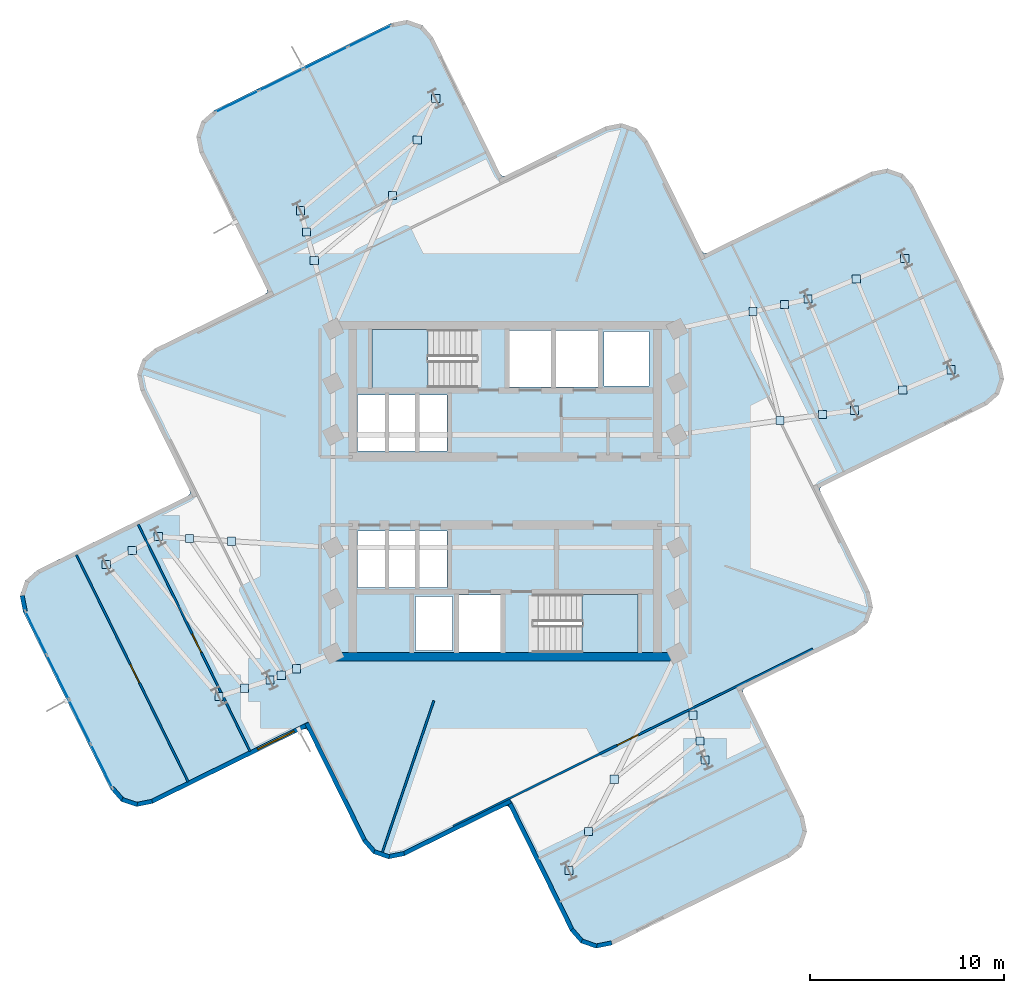
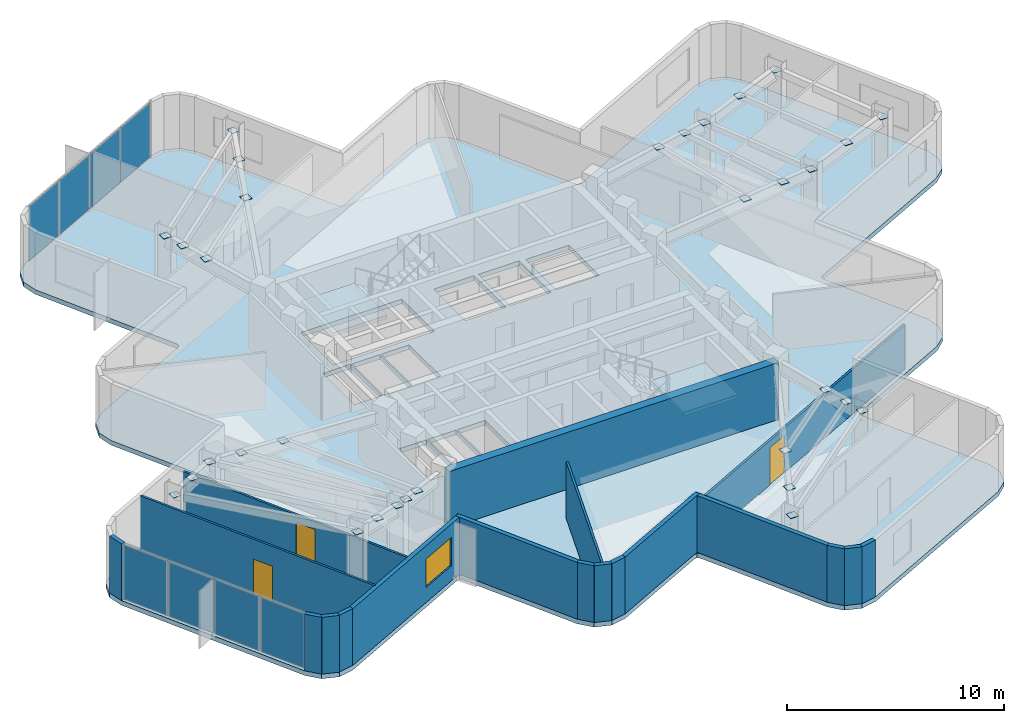
# One storey, part 5 of 11: 40 plates, 19 walls, 3 doors, 3 slabs, 1 window, 4 openings, 4 elements without a shape of their own.
"""IFC4 building model written with IfcOpenShell, lengths in metres."""

from ifc_helpers import new_model, si_unit, direction, frame, frame_2d, origin, origin_2d, place, context, subcontext, project, spatial, polyline, rectangle, outline, extrude, material, layer, layer_set, type_object, element, fill, aggregate, save


model = new_model("IFC4")

# Units and contexts
model_context = context("Model", 3, precision=1e-05, world=origin(), true_north=direction((0.0, 1.0)))
body_context = subcontext(model_context, "Body", "Model", "MODEL_VIEW")
ifc_project = project(units=[si_unit("LENGTHUNIT", "METRE"), si_unit("AREAUNIT", "SQUARE_METRE"), si_unit("VOLUMEUNIT", "CUBIC_METRE"), si_unit("PLANEANGLEUNIT", "RADIAN"), si_unit("MASSUNIT", "GRAM", prefix="KILO")], contexts=[model_context])

# Site, building, storey
site_placement = place(None, origin())
site = spatial("IfcSite", under=ifc_project, at=site_placement, CompositionType="ELEMENT")
building_placement = place(site_placement, origin())
building = spatial("IfcBuilding", under=site, at=building_placement, Name="Solmarez Civic Tower", CompositionType="ELEMENT")
storey_placement = place(building_placement, frame((0.0, 0.0, 192.60009765625)))
storey = spatial("IfcBuildingStorey", under=building, at=storey_placement, Name="L51", CompositionType="ELEMENT", Elevation=192.60009765625)

# Curtain wall, plates
ifc_material_1 = material(Name="Bronze Anodised Aluminium EN AW-6063 T6", Category="aluminium")
ifc_layer_1 = layer(ifc_material_1, 0.2099609375)
ifc_layer_set_1 = layer_set([ifc_layer_1], Name="Bronze Anodised Aluminium EN AW-6063 T6")
curtain_wall_type = type_object("IfcCurtainWallType", Name="CW-SYS-5", PredefinedType="NOTDEFINED", material=ifc_layer_set_1)
curtain_wall_1_placement = place(storey_placement, origin())
curtain_wall_1 = element("IfcCurtainWall", 1, at=curtain_wall_1_placement, inside=storey, type_object=curtain_wall_type, Name="L51 Stick-Built Curtain Wall 1", PredefinedType="NOTDEFINED")
ifc_material_2 = material(Name="Solar Control Low-E Laminated Vision Glass", Category="glass")
ifc_layer_2 = layer(ifc_material_2, 0.028076171875)
ifc_layer_set_2 = layer_set([ifc_layer_2], Name="Solar Control Low-E Laminated Vision Glass")
plate_type_1 = type_object("IfcPlateType", Name="CWP-GLAZ-28", PredefinedType="CURTAIN_PANEL", material=ifc_layer_set_2)
plate_1_placement = place(storey_placement, frame((-20.771240234375, -14.15625, 0.06494140625), z_axis=(0.0, 0.0, 1.0), x_axis=(-0.442157712652, 0.896937320632, 0.0)))
plate_1 = element("IfcPlate", 2, at=plate_1_placement, type_object=plate_type_1, Name="CWS5 panel 1.1", PredefinedType="CURTAIN_PANEL", context=body_context, shape_type="SweptSolid", body=[
    extrude(rectangle(XDim=2.442626953125, YDim=0.028076171875, at=origin_2d()), origin(), (0.0, 0.0, 1.0), 3.070068359375),
])
plate_2_placement = place(storey_placement, frame((-21.892578125, -11.88134765625, 0.06494140625), z_axis=(0.0, 0.0, 1.0), x_axis=(-0.442157712652, 0.896937320632, 0.0)))
plate_2 = element("IfcPlate", 3, at=plate_2_placement, type_object=plate_type_1, Name="CWS5 panel 2.1", PredefinedType="CURTAIN_PANEL", context=body_context, shape_type="SweptSolid", body=[
    extrude(rectangle(XDim=2.47998046875, YDim=0.028076171875, at=origin_2d()), origin(), (0.0, 0.0, 1.0), 3.070068359375),
])
plate_3_placement = place(storey_placement, frame((-23.0224609375, -9.589599609375, 0.06494140625), z_axis=(0.0, 0.0, 1.0), x_axis=(-0.442157712652, 0.896937320632, 0.0)))
plate_3 = element("IfcPlate", 4, at=plate_3_placement, type_object=plate_type_1, Name="CWS5 panel 3.1", PredefinedType="CURTAIN_PANEL", context=body_context, shape_type="SweptSolid", body=[
    extrude(rectangle(XDim=2.47998046875, YDim=0.028076171875, at=origin_2d()), origin(), (0.0, 0.0, 1.0), 3.070068359375),
])
plate_4_placement = place(storey_placement, frame((-24.143798828125, -7.314697265625, 0.06494140625), z_axis=(0.0, 0.0, 1.0), x_axis=(-0.442157712652, 0.896937320632, 0.0)))
plate_4 = element("IfcPlate", 5, at=plate_4_placement, type_object=plate_type_1, Name="CWS5 panel 4.1", PredefinedType="CURTAIN_PANEL", context=body_context, shape_type="SweptSolid", body=[
    extrude(rectangle(XDim=2.442626953125, YDim=0.028076171875, at=origin_2d()), origin(), (0.0, 0.0, 1.0), 3.070068359375),
])
aggregate(curtain_wall_1, [plate_1, plate_2, plate_3, plate_4])

curtain_wall_2_placement = place(storey_placement, origin())
curtain_wall_2 = element("IfcCurtainWall", 6, at=curtain_wall_2_placement, inside=storey, type_object=curtain_wall_type, Name="L51 Stick-Built Curtain Wall 2", PredefinedType="NOTDEFINED")
plate_5_placement = place(storey_placement, frame((-13.80224609375, 20.05419921875, 0.06494140625), z_axis=(0.0, 0.0, 1.0), x_axis=(0.896937320632, 0.442157712652, 0.0)))
plate_5 = element("IfcPlate", 7, at=plate_5_placement, type_object=plate_type_1, Name="CWS5 panel 1.1", PredefinedType="CURTAIN_PANEL", context=body_context, shape_type="SweptSolid", body=[
    extrude(rectangle(XDim=2.442626953125, YDim=0.028076171875, at=origin_2d()), origin(), (0.0, 0.0, 1.0), 3.070068359375),
])
plate_6_placement = place(storey_placement, frame((-11.52734375, 21.175537109375, 0.06494140625), z_axis=(0.0, 0.0, 1.0), x_axis=(0.896937320632, 0.442157712652, 0.0)))
plate_6 = element("IfcPlate", 8, at=plate_6_placement, type_object=plate_type_1, Name="CWS5 panel 2.1", PredefinedType="CURTAIN_PANEL", context=body_context, shape_type="SweptSolid", body=[
    extrude(rectangle(XDim=2.47998046875, YDim=0.028076171875, at=origin_2d()), origin(), (0.0, 0.0, 1.0), 3.070068359375),
])
plate_7_placement = place(storey_placement, frame((-9.235595703125, 22.305419921875, 0.06494140625), z_axis=(0.0, 0.0, 1.0), x_axis=(0.896937320632, 0.442157712652, 0.0)))
plate_7 = element("IfcPlate", 9, at=plate_7_placement, type_object=plate_type_1, Name="CWS5 panel 3.1", PredefinedType="CURTAIN_PANEL", context=body_context, shape_type="SweptSolid", body=[
    extrude(rectangle(XDim=2.47998046875, YDim=0.028076171875, at=origin_2d()), origin(), (0.0, 0.0, 1.0), 3.070068359375),
])
plate_8_placement = place(storey_placement, frame((-6.960693359375, 23.4267578125, 0.06494140625), z_axis=(0.0, 0.0, 1.0), x_axis=(0.896937320632, 0.442157712652, 0.0)))
plate_8 = element("IfcPlate", 10, at=plate_8_placement, type_object=plate_type_1, Name="CWS5 panel 4.1", PredefinedType="CURTAIN_PANEL", context=body_context, shape_type="SweptSolid", body=[
    extrude(rectangle(XDim=2.442626953125, YDim=0.028076171875, at=origin_2d()), origin(), (0.0, 0.0, 1.0), 3.070068359375),
])
aggregate(curtain_wall_2, [plate_5, plate_6, plate_7, plate_8])

# Plates
ifc_material_3 = material(Name="Steel S355", Category="steel")
ifc_layer_3 = layer(ifc_material_3, 0.02392578125)
ifc_layer_set_3 = layer_set([ifc_layer_3], Name="Steel S355")
plate_type_2 = type_object("IfcPlateType", Name="PLT-CAP-380", PredefinedType="USERDEFINED", material=ifc_layer_set_3)
for number, where, z_axis, x_axis, name in (
    (11, (17.987060546875, 4.1640625, 3.037841796875), (0.0, 0.0, 1.0), (1.0, 0.0, 0.0), "Steel Member End Cap Plate CAP-BM-L51-EA-T1-0"),
    (12, (15.593994140625, 9.883056640625, 3.037841796875), (0.0, 0.0, 1.0), (1.0, 0.0, 0.0), "Steel Member End Cap Plate CAP-BM-L51-EA-T1-1"),
    (13, (22.968017578125, 6.248046875, 2.988037109375), (0.0, 0.0, 1.0), (1.0, 0.0, 0.0), "Steel Member End Cap Plate CAP-BM-L51-EA-T2-0"),
    (14, (20.575927734375, 11.967041015625, 2.988037109375), (0.0, 0.0, 1.0), (1.0, 0.0, 0.0), "Steel Member End Cap Plate CAP-BM-L51-EA-T2-1"),
    (15, (20.47705078125, 5.2060546875, 3.037841796875), (0.0, 0.0, 1.0), (1.0, 0.0, 0.0), "Steel Member End Cap Plate CAP-JS-L51-EA-M2-0"),
    (16, (18.0849609375, 10.925048828125, 3.037841796875), (0.0, 0.0, 1.0), (1.0, 0.0, 0.0), "Steel Member End Cap Plate CAP-JS-L51-EA-M2-1"),
    (17, (14.14892578125, 3.633056640625, 3.037841796875), (0.0, 0.0, 1.0), (1.0, 0.0, 0.0), "Steel Member End Cap Plate CAP-JS-L51-EA-M11-0"),
    (18, (12.761962890625, 9.239013671875, 3.037841796875), (0.0, 0.0, 1.0), (1.0, 0.0, 0.0), "Steel Member End Cap Plate CAP-JS-L51-EA-M11-1"),
    (19, (16.342041015625, 3.93603515625, 3.037841796875), (0.0, 0.0, 1.0), (1.0, 0.0, 0.0), "Steel Member End Cap Plate CAP-JS-L51-EA-M12-0"),
    (20, (14.3798828125, 9.60693359375, 3.037841796875), (0.0, 0.0, 1.0), (1.0, 0.0, 0.0), "Steel Member End Cap Plate CAP-JS-L51-EA-M12-1"),
    (21, (-3.570068359375, 20.20703125, 3.037841796875), (0.0, 0.0, 1.0), (1.0, 0.0, 0.0), "Steel Member End Cap Plate CAP-BM-L51-NA-T1-0"),
    (22, (-10.532958984375, 14.43310546875, 3.037841796875), (0.0, 0.0, 1.0), (1.0, 0.0, 0.0), "Steel Member End Cap Plate CAP-BM-L51-NA-T1-1"),
    (23, (-5.7880859375, 15.22705078125, 3.037841796875), (0.0, 0.0, 1.0), (1.0, 0.0, 0.0), "Steel Member End Cap Plate CAP-JS-L51-NA-M11-0"),
    (24, (-9.825927734375, 11.8779296875, 3.037841796875), (0.0, 0.0, 1.0), (1.0, 0.0, 0.0), "Steel Member End Cap Plate CAP-JS-L51-NA-M11-1"),
    (25, (-4.52001953125, 18.072998046875, 3.037841796875), (0.0, 0.0, 1.0), (1.0, 0.0, 0.0), "Steel Member End Cap Plate CAP-JS-L51-NA-M12-0"),
    (26, (-10.22998046875, 13.337890625, 3.037841796875), (0.0, 0.0, 1.0), (1.0, 0.0, 0.0), "Steel Member End Cap Plate CAP-JS-L51-NA-M12-1"),
    (27, (-17.85791015625, -2.345947265625, 3.037841796875), (0.0, 0.0, 1.0), (1.0, 0.0, 0.0), "Steel Member End Cap Plate CAP-BM-L51-WA-T1-0"),
    (28, (-12.10595703125, -9.73095703125, 3.037841796875), (0.0, 0.0, 1.0), (1.0, 0.0, 0.0), "Steel Member End Cap Plate CAP-BM-L51-WA-T1-1"),
    (29, (-20.534912109375, -3.7880859375, 2.988037109375), (0.0, 0.0, 1.0), (1.0, 0.0, 0.0), "Steel Member End Cap Plate CAP-BM-L51-WA-T2-0"),
    (30, (-14.73095703125, -10.572998046875, 2.988037109375), (0.0, 0.0, 1.0), (1.0, 0.0, 0.0), "Steel Member End Cap Plate CAP-BM-L51-WA-T2-1"),
    (31, (-19.197021484375, -3.06689453125, 3.037841796875), (0.0, 0.0, 1.0), (1.0, 0.0, 0.0), "Steel Member End Cap Plate CAP-JS-L51-WA-M2-0"),
    (32, (-13.41796875, -10.152099609375, 3.037841796875), (0.0, 0.0, 1.0), (1.0, 0.0, 0.0), "Steel Member End Cap Plate CAP-JS-L51-WA-M2-1"),
    (33, (-14.074951171875, -2.5791015625, 3.037841796875), (0.0, 0.0, 1.0), (1.0, 0.0, 0.0), "Steel Member End Cap Plate CAP-JS-L51-WA-M11-0"),
    (34, (-10.738037109375, -9.15087890625, 3.037841796875), (0.0, 0.0, 1.0), (1.0, 0.0, 0.0), "Steel Member End Cap Plate CAP-JS-L51-WA-M11-1"),
    (35, (-16.237060546875, -2.446044921875, 3.037841796875), (0.0, 0.0, 1.0), (1.0, 0.0, 0.0), "Steel Member End Cap Plate CAP-JS-L51-WA-M12-0"),
    (36, (-11.52001953125, -9.48193359375, 3.037841796875), (0.0, 0.0, 1.0), (1.0, 0.0, 0.0), "Steel Member End Cap Plate CAP-JS-L51-WA-M12-1"),
    (37, (3.2900390625, -19.535888671875, 3.037841796875), (0.0, 0.0, 1.0), (1.0, 0.0, 0.0), "Steel Member End Cap Plate CAP-BM-L51-SA-T1-0"),
    (38, (10.2900390625, -13.85009765625, 3.037841796875), (0.0, 0.0, 1.0), (1.0, 0.0, 0.0), "Steel Member End Cap Plate CAP-BM-L51-SA-T1-1"),
    (39, (5.625, -14.837890625, 3.037841796875), (0.0, 0.0, 1.0), (1.0, 0.0, 0.0), "Steel Member End Cap Plate CAP-JS-L51-SA-M11-0"),
    (40, (9.68505859375, -11.5400390625, 3.037841796875), (0.0, 0.0, 1.0), (1.0, 0.0, 0.0), "Steel Member End Cap Plate CAP-JS-L51-SA-M11-1"),
    (41, (4.291015625, -17.52294921875, 3.037841796875), (0.0, 0.0, 1.0), (1.0, 0.0, 0.0), "Steel Member End Cap Plate CAP-JS-L51-SA-M12-0"),
    (42, (10.031005859375, -12.860107421875, 3.037841796875), (0.0, 0.0, 1.0), (1.0, 0.0, 0.0), "Steel Member End Cap Plate CAP-JS-L51-SA-M12-1"),
):
    element("IfcPlate", number, at=place(storey_placement, frame(where, z_axis=z_axis, x_axis=x_axis)), inside=storey, type_object=plate_type_2, Name=name, ObjectType="CAP_PLATE", PredefinedType="USERDEFINED", context=body_context, shape_type="SweptSolid", body=[
        extrude(rectangle(XDim=0.419921875, YDim=0.419921875, at=origin_2d()), origin(), (0.0, 0.0, 1.0), 0.02392578125),
    ])

# Stair, slab
ifc_material_4 = material(Name="Concrete C50/60", Category="concrete")
stair_type = type_object("IfcStairType", Name="STAIR-DOGLEG-140W-20R-1800", PredefinedType="HALF_TURN_STAIR", material=ifc_material_4)
stair_1_placement = place(storey_placement, origin())
stair_1 = element("IfcStair", 43, at=stair_1_placement, inside=storey, type_object=stair_type, Name="L51 North Core Protected Exit Stair ST-1", PredefinedType="HALF_TURN_STAIR")
ifc_layer_4 = layer(ifc_material_4, 0.199951171875)
ifc_layer_set_4 = layer_set([ifc_layer_4], Name="Concrete C50/60")
slab_type_1 = type_object("IfcSlabType", Name="SLAB-LANDING-200", PredefinedType="LANDING", material=ifc_layer_set_4)
slab_1_placement = place(storey_placement, frame((0.0, 0.0, 1.599853515625)))
slab_1 = element("IfcSlab", 44, at=slab_1_placement, type_object=slab_type_1, Name="ST-1 landing 1", PredefinedType="LANDING", context=body_context, shape_type="SweptSolid", body=[
    extrude(outline(polyline([(-3.969970703125, 8.320068359375), (-6.85009765625, 8.320068359375), (-6.85009765625, 5.320068359375), (-3.969970703125, 5.320068359375), (-3.969970703125, 8.320068359375)])), origin(), (0.0, 0.0, 1.0), 0.199951171875),
])
aggregate(stair_1, [slab_1])

stair_2_placement = place(storey_placement, origin())
stair_2 = element("IfcStair", 45, at=stair_2_placement, inside=storey, type_object=stair_type, Name="L51 South Core Protected Exit Stair ST-2", PredefinedType="HALF_TURN_STAIR")
slab_2_placement = place(storey_placement, frame((0.0, 0.0, 1.599853515625)))
slab_2 = element("IfcSlab", 46, at=slab_2_placement, type_object=slab_type_1, Name="ST-2 landing 1", PredefinedType="LANDING", context=body_context, shape_type="SweptSolid", body=[
    extrude(outline(polyline([(3.969970703125, -8.320068359375), (6.85009765625, -8.320068359375), (6.85009765625, -5.320068359375), (3.969970703125, -5.320068359375), (3.969970703125, -8.320068359375)])), origin(), (0.0, 0.0, 1.0), 0.199951171875),
])
aggregate(stair_2, [slab_2])

# Slab
ifc_layer_5 = layer(ifc_material_4, 0.260009765625)
ifc_layer_set_5 = layer_set([ifc_layer_5], Name="Concrete C50/60")
slab_type_2 = type_object("IfcSlabType", Name="SLAB-TOWER-260", PredefinedType="FLOOR", material=ifc_layer_set_5)
slab_3_placement = place(storey_placement, frame((0.0, 0.0, -0.260009765625)))
element("IfcSlab", 47, at=slab_3_placement, inside=storey, type_object=slab_type_2, Name="L51 Structural Slab", PredefinedType="FLOOR", context=body_context, shape_type="SweptSolid", body=[
    extrude(outline(polyline([(-10.1279296875, -12.362060546875), (-7.324951171875, -18.049072265625), (-6.779052734375, -18.6708984375), (-5.9951171875, -18.93798828125), (-5.181884765625, -18.77587890625), (-0.034912109375, -16.239013671875), (0.134033203125, -16.205078125), (0.248046875, -16.333984375), (3.360107421875, -22.64794921875), (3.906005859375, -23.27099609375), (4.68994140625, -23.5380859375), (5.501953125, -23.3759765625), (14.65087890625, -18.865966796875), (15.27392578125, -18.320068359375), (15.5400390625, -17.535888671875), (15.37890625, -16.72412109375), (12.26708984375, -10.409912109375), (12.23291015625, -10.240966796875), (12.362060546875, -10.1279296875), (18.049072265625, -7.324951171875), (18.6708984375, -6.779052734375), (18.93798828125, -5.9951171875), (18.77587890625, -5.181884765625), (16.239013671875, -0.034912109375), (16.205078125, 0.134033203125), (16.333984375, 0.248046875), (24.801025390625, 4.4208984375), (25.424072265625, 4.967041015625), (25.68994140625, 5.7509765625), (25.529052734375, 6.56298828125), (21.01904296875, 15.7119140625), (20.472900390625, 16.3349609375), (19.68896484375, 16.60205078125), (18.876953125, 16.43994140625), (10.409912109375, 12.26708984375), (10.240966796875, 12.23291015625), (10.1279296875, 12.362060546875), (7.324951171875, 18.049072265625), (6.779052734375, 18.6708984375), (5.9951171875, 18.93798828125), (5.181884765625, 18.77587890625), (0.034912109375, 16.239013671875), (-0.134033203125, 16.205078125), (-0.248046875, 16.333984375), (-3.714111328125, 23.365966796875), (-4.260009765625, 23.989013671875), (-5.0439453125, 24.2548828125), (-5.85595703125, 24.093994140625), (-15.0048828125, 19.583984375), (-15.6279296875, 19.0380859375), (-15.89404296875, 18.25390625), (-15.73291015625, 17.44091796875), (-12.26708984375, 10.409912109375), (-12.23291015625, 10.240966796875), (-12.362060546875, 10.1279296875), (-18.049072265625, 7.324951171875), (-18.6708984375, 6.779052734375), (-18.93798828125, 5.9951171875), (-18.77587890625, 5.181884765625), (-16.239013671875, 0.034912109375), (-16.205078125, -0.134033203125), (-16.333984375, -0.248046875), (-24.083984375, -4.06689453125), (-24.7060546875, -4.613037109375), (-24.972900390625, -5.39697265625), (-24.81103515625, -6.2099609375), (-20.302001953125, -15.35888671875), (-19.756103515625, -15.98095703125), (-18.970947265625, -16.248046875), (-18.158935546875, -16.0859375), (-10.409912109375, -12.26708984375), (-10.240966796875, -12.23291015625), (-10.1279296875, -12.362060546875)]), holes=[polyline([(-1.449951171875, 8.320068359375), (-6.85009765625, 8.320068359375), (-6.85009765625, 5.320068359375), (-1.449951171875, 5.320068359375), (-1.449951171875, 8.320068359375)]), polyline([(1.449951171875, -8.320068359375), (6.85009765625, -8.320068359375), (6.85009765625, -5.320068359375), (1.449951171875, -5.320068359375), (1.449951171875, -8.320068359375)]), polyline([(0.219970703125, 5.360107421875), (2.3798828125, 5.360107421875), (2.3798828125, 8.280029296875), (0.219970703125, 8.280029296875), (0.219970703125, 5.360107421875)]), polyline([(2.6201171875, 5.360107421875), (4.780029296875, 5.360107421875), (4.780029296875, 8.280029296875), (2.6201171875, 8.280029296875), (2.6201171875, 5.360107421875)]), polyline([(-2.3798828125, -8.280029296875), (-0.219970703125, -8.280029296875), (-0.219970703125, -5.360107421875), (-2.3798828125, -5.360107421875), (-2.3798828125, -8.280029296875)]), polyline([(-7.60009765625, -4.9599609375), (-6.1201171875, -4.9599609375), (-6.1201171875, -2.06005859375), (-7.60009765625, -2.06005859375), (-7.60009765625, -4.9599609375)]), polyline([(-6.0400390625, -4.9599609375), (-4.56005859375, -4.9599609375), (-4.56005859375, -2.06005859375), (-6.0400390625, -2.06005859375), (-6.0400390625, -4.9599609375)]), polyline([(-4.47998046875, -4.9599609375), (-3.0, -4.9599609375), (-3.0, -2.06005859375), (-4.47998046875, -2.06005859375), (-4.47998046875, -4.9599609375)]), polyline([(-7.60009765625, 2.06005859375), (-6.1201171875, 2.06005859375), (-6.1201171875, 4.9599609375), (-7.60009765625, 4.9599609375), (-7.60009765625, 2.06005859375)]), polyline([(-6.0400390625, 2.06005859375), (-4.56005859375, 2.06005859375), (-4.56005859375, 4.9599609375), (-6.0400390625, 4.9599609375), (-6.0400390625, 2.06005859375)]), polyline([(-4.47998046875, 2.06005859375), (-3.0, 2.06005859375), (-3.0, 4.9599609375), (-4.47998046875, 4.9599609375), (-4.47998046875, 2.06005859375)]), polyline([(5.10009765625, 5.419921875), (7.39990234375, 5.419921875), (7.39990234375, 8.219970703125), (5.10009765625, 8.219970703125), (5.10009765625, 5.419921875)]), polyline([(-4.60009765625, -8.219970703125), (-2.699951171875, -8.219970703125), (-2.699951171875, -5.419921875), (-4.60009765625, -5.419921875), (-4.60009765625, -8.219970703125)])]), origin(), (0.0, 0.0, 1.0), 0.260009765625),
])

# Wall
ifc_layer_6 = layer(ifc_material_4, 0.449951171875)
ifc_layer_set_6 = layer_set([ifc_layer_6], Name="Concrete C50/60")
wall_type_1 = type_object("IfcWallType", Name="WALL-CORE-450", PredefinedType="SHEAR", material=ifc_layer_set_6)
wall_1_placement = place(storey_placement, frame((8.780029296875, -8.534912109375, 0.0), z_axis=(0.0, 0.0, 1.0), x_axis=(-1.0, 0.0, 0.0)))
element("IfcWall", 48, at=wall_1_placement, inside=storey, type_object=wall_type_1, Name="L51 Split-Core Structural Wall SCW-S-L51", PredefinedType="SHEAR", context=body_context, shape_type="SweptSolid", body=[
    extrude(rectangle(XDim=17.56005859375, YDim=0.449951171875, at=frame_2d((8.780029296875, 0.0))), origin(), (0.0, 0.0, 1.0), 3.199951171875),
])

# Wall, opening, window
ifc_material_5 = material(Name="Precast concrete C40/50", Category="concrete")
ifc_layer_7 = layer(ifc_material_5, 0.219970703125)
ifc_layer_set_7 = layer_set([ifc_layer_7], Name="Precast concrete C40/50")
wall_type_2 = type_object("IfcWallType", Name="WALL-EXT-220", PredefinedType="SOLIDWALL", material=ifc_layer_set_7)
wall_2_placement = place(storey_placement, frame((-10.092041015625, -11.988037109375, 0.0), z_axis=(0.0, 0.0, 1.0), x_axis=(-0.89699971925, -0.442031111649, 0.0)))
wall_2 = element("IfcWall", 49, at=wall_2_placement, inside=storey, type_object=wall_type_2, Name="L51 Exterior Precast Wall 2", PredefinedType="SOLIDWALL", context=body_context, shape_type="SweptSolid", body=[
    extrude(rectangle(XDim=9.057861328125, YDim=0.219970703125, at=frame_2d((4.52880859375, 0.0))), origin(), (0.0, 0.0, 1.0), 3.199951171875),
])
opening_1_placement = place(wall_2_placement, frame((0.85009765625, 0.0, 0.85009765625)))
opening_1 = element("IfcOpeningElement", 50, at=opening_1_placement, cuts=wall_2, Name="Opening W-11", PredefinedType="OPENING", context=body_context, shape_type="SweptSolid", body=[
    extrude(rectangle(XDim=2.10009765625, YDim=1.60009765625, at=frame_2d((1.050048828125, 0.800048828125))), frame((0.0, 0.119873046875, 0.0), z_axis=(0.0, -1.0, 0.0), x_axis=(1.0, 0.0, 0.0)), (0.0, 0.0, 1.0), 0.239990234375),
])
ifc_material_6 = material(Name="Solar Control Bronze-Tinted Insulating Glass", Category="glass")
window_type = type_object("IfcWindowType", Name="WIN-2100X1600", PartitioningType="SINGLE_PANEL", PredefinedType="WINDOW", material=ifc_material_6)
window_placement = place(opening_1_placement, origin())
window = element("IfcWindow", 51, at=window_placement, inside=storey, type_object=window_type, Name="L51 Exterior Facade Window 2", OverallHeight=1.60009765625, OverallWidth=2.10009765625, PartitioningType="SINGLE_PANEL", PredefinedType="WINDOW", context=body_context, shape_type="SweptSolid", body=[
    extrude(rectangle(XDim=2.10009765625, YDim=1.60009765625, at=frame_2d((1.050048828125, 0.800048828125))), frame((0.0, 0.030029296875, 0.0), z_axis=(0.0, -1.0, 0.0), x_axis=(1.0, 0.0, 0.0)), (0.0, 0.0, 1.0), 0.06005859375),
])
fill(opening_1, window)

# Walls
wall_3_placement = place(storey_placement, frame((-18.169921875, -15.97607421875, 0.0), z_axis=(0.0, 0.0, 1.0), x_axis=(-0.980804908934, -0.194991616769, 0.0)))
element("IfcWall", 52, at=wall_3_placement, inside=storey, type_object=wall_type_2, Name="L51 Exterior Precast Wall 3", PredefinedType="SOLIDWALL", context=body_context, shape_type="SweptSolid", body=[
    extrude(rectangle(XDim=0.835205078125, YDim=0.219970703125, at=frame_2d((0.41748046875, 0.0))), origin(), (0.0, 0.0, 1.0), 3.199951171875),
])
wall_4_placement = place(storey_placement, frame((-18.93994140625, -16.14208984375, 0.0), z_axis=(0.0, 0.0, 1.0), x_axis=(-0.94703210012, 0.321138912843, 0.0)))
element("IfcWall", 53, at=wall_4_placement, inside=storey, type_object=wall_type_2, Name="L51 Exterior Precast Wall 4", PredefinedType="SOLIDWALL", context=body_context, shape_type="SweptSolid", body=[
    extrude(rectangle(XDim=0.819580078125, YDim=0.219970703125, at=frame_2d((0.40966796875, 0.0))), origin(), (0.0, 0.0, 1.0), 3.199951171875),
])
wall_5_placement = place(storey_placement, frame((-19.676025390625, -15.906005859375, 0.0), z_axis=(0.0, 0.0, 1.0), x_axis=(-0.658255916404, 0.752794227209, 0.0)))
element("IfcWall", 54, at=wall_5_placement, inside=storey, type_object=wall_type_2, Name="L51 Exterior Precast Wall 5", PredefinedType="SOLIDWALL", context=body_context, shape_type="SweptSolid", body=[
    extrude(rectangle(XDim=0.834228515625, YDim=0.219970703125, at=frame_2d((0.4169921875, 0.0))), origin(), (0.0, 0.0, 1.0), 3.199951171875),
])
wall_6_placement = place(storey_placement, frame((-24.700927734375, -6.198974609375, 0.0), z_axis=(0.0, 0.0, 1.0), x_axis=(-0.195272818647, 0.980748961915, 0.0)))
element("IfcWall", 55, at=wall_6_placement, inside=storey, type_object=wall_type_2, Name="L51 Exterior Precast Wall 7", PredefinedType="SOLIDWALL", context=body_context, shape_type="SweptSolid", body=[
    extrude(rectangle(XDim=0.835205078125, YDim=0.219970703125, at=frame_2d((0.41748046875, 0.0))), origin(), (0.0, 0.0, 1.0), 3.199951171875),
])
wall_7_placement = place(storey_placement, frame((5.491943359375, -23.26611328125, 0.0), z_axis=(0.0, 0.0, 1.0), x_axis=(-0.980838211919, -0.194824028395, 0.0)))
element("IfcWall", 56, at=wall_7_placement, inside=storey, type_object=wall_type_2, Name="L51 Exterior Precast Wall 61", PredefinedType="SOLIDWALL", context=body_context, shape_type="SweptSolid", body=[
    extrude(rectangle(XDim=0.8359375, YDim=0.219970703125, at=frame_2d((0.41796875, 0.0))), origin(), (0.0, 0.0, 1.0), 3.199951171875),
])
wall_8_placement = place(storey_placement, frame((4.720947265625, -23.431884765625, 0.0), z_axis=(0.0, 0.0, 1.0), x_axis=(-0.94709198428, 0.320962261507, 0.0)))
element("IfcWall", 57, at=wall_8_placement, inside=storey, type_object=wall_type_2, Name="L51 Exterior Precast Wall 62", PredefinedType="SOLIDWALL", context=body_context, shape_type="SweptSolid", body=[
    extrude(rectangle(XDim=0.8193359375, YDim=0.219970703125, at=frame_2d((0.40966796875, 0.0))), origin(), (0.0, 0.0, 1.0), 3.199951171875),
])
wall_9_placement = place(storey_placement, frame((3.985107421875, -23.196044921875, 0.0), z_axis=(0.0, 0.0, 1.0), x_axis=(-0.658255916404, 0.752794227209, 0.0)))
element("IfcWall", 58, at=wall_9_placement, inside=storey, type_object=wall_type_2, Name="L51 Exterior Precast Wall 63", PredefinedType="SOLIDWALL", context=body_context, shape_type="SweptSolid", body=[
    extrude(rectangle(XDim=0.834228515625, YDim=0.219970703125, at=frame_2d((0.4169921875, 0.0))), origin(), (0.0, 0.0, 1.0), 3.199951171875),
])
wall_10_placement = place(storey_placement, frame((3.462890625, -22.60888671875, 0.0), z_axis=(0.0, 0.0, 1.0), x_axis=(-0.442099117248, 0.896966203671, 0.0)))
element("IfcWall", 59, at=wall_10_placement, inside=storey, type_object=wall_type_2, Name="L51 Exterior Precast Wall 64", PredefinedType="SOLIDWALL", context=body_context, shape_type="SweptSolid", body=[
    extrude(rectangle(XDim=7.457275390625, YDim=0.219970703125, at=frame_2d((3.728515625, 0.0))), origin(), (0.0, 0.0, 1.0), 3.199951171875),
])
wall_11_placement = place(storey_placement, frame((0.283935546875, -15.9599609375, 0.0), z_axis=(0.0, 0.0, 1.0), x_axis=(-0.897012793167, -0.442004580174, 0.0)))
element("IfcWall", 60, at=wall_11_placement, inside=storey, type_object=wall_type_2, Name="L51 Exterior Precast Wall 67", PredefinedType="SOLIDWALL", context=body_context, shape_type="SweptSolid", body=[
    extrude(rectangle(XDim=6.158203125, YDim=0.219970703125, at=frame_2d((3.0791015625, 0.0))), origin(), (0.0, 0.0, 1.0), 3.199951171875),
])
wall_12_placement = place(storey_placement, frame((-5.193115234375, -18.666015625, 0.0), z_axis=(0.0, 0.0, 1.0), x_axis=(-0.980737810353, -0.19532881852, 0.0)))
element("IfcWall", 61, at=wall_12_placement, inside=storey, type_object=wall_type_2, Name="L51 Exterior Precast Wall 68", PredefinedType="SOLIDWALL", context=body_context, shape_type="SweptSolid", body=[
    extrude(rectangle(XDim=0.8349609375, YDim=0.219970703125, at=frame_2d((0.41748046875, 0.0))), origin(), (0.0, 0.0, 1.0), 3.199951171875),
])
wall_13_placement = place(storey_placement, frame((-5.962890625, -18.83203125, 0.0), z_axis=(0.0, 0.0, 1.0), x_axis=(-0.947245162699, 0.320509908962, 0.0)))
element("IfcWall", 62, at=wall_13_placement, inside=storey, type_object=wall_type_2, Name="L51 Exterior Precast Wall 69", PredefinedType="SOLIDWALL", context=body_context, shape_type="SweptSolid", body=[
    extrude(rectangle(XDim=0.8203125, YDim=0.219970703125, at=frame_2d((0.41015625, 0.0))), origin(), (0.0, 0.0, 1.0), 3.199951171875),
])
wall_14_placement = place(storey_placement, frame((-6.699951171875, -18.595947265625, 0.0), z_axis=(0.0, 0.0, 1.0), x_axis=(-0.658255916404, 0.752794227209, 0.0)))
element("IfcWall", 63, at=wall_14_placement, inside=storey, type_object=wall_type_2, Name="L51 Exterior Precast Wall 70", PredefinedType="SOLIDWALL", context=body_context, shape_type="SweptSolid", body=[
    extrude(rectangle(XDim=0.834228515625, YDim=0.219970703125, at=frame_2d((0.4169921875, 0.0))), origin(), (0.0, 0.0, 1.0), 3.199951171875),
])
wall_15_placement = place(storey_placement, frame((-7.221923828125, -18.009033203125, 0.0), z_axis=(0.0, 0.0, 1.0), x_axis=(-0.44217743079, 0.896927600032, 0.0)))
element("IfcWall", 64, at=wall_15_placement, inside=storey, type_object=wall_type_2, Name="L51 Exterior Precast Wall 71", PredefinedType="SOLIDWALL", context=body_context, shape_type="SweptSolid", body=[
    extrude(rectangle(XDim=6.757568359375, YDim=0.219970703125, at=frame_2d((3.37890625, 0.0))), origin(), (0.0, 0.0, 1.0), 3.199951171875),
])
ifc_material_7 = material(Name="Gypsum Board Acoustic Steel-Stud Partition", Category="steel")
ifc_layer_8 = layer(ifc_material_7, 0.110107421875)
ifc_layer_set_8 = layer_set([ifc_layer_8], Name="Gypsum Board Acoustic Steel-Stud Partition")
wall_type_3 = type_object("IfcWallType", Name="WALL-INT-PART-110", PredefinedType="PARTITIONING", material=ifc_layer_set_8)
wall_16_placement = place(storey_placement, frame((-3.666015625, -10.7939453125, 0.0), z_axis=(0.0, 0.0, 1.0), x_axis=(-0.32157793417, -0.946883114357, 0.0)))
element("IfcWall", 65, at=wall_16_placement, inside=storey, type_object=wall_type_3, Name="L51 Interior Partition PT-L51-QDIV-3", PredefinedType="PARTITIONING", context=body_context, shape_type="SweptSolid", body=[
    extrude(rectangle(XDim=8.2744140625, YDim=0.110107421875, at=frame_2d((4.13720703125, 0.0))), origin(), (0.0, 0.0, 1.0), 3.199951171875),
])

# Wall, opening, door
wall_17_placement = place(storey_placement, frame((-13.1279296875, -13.39990234375, 0.0), z_axis=(0.0, 0.0, 1.0), x_axis=(-0.442139902385, 0.896946100231, 0.0)))
wall_17 = element("IfcWall", 66, at=wall_17_placement, inside=storey, type_object=wall_type_3, Name="L51 Interior Partition PT-L51-W-SC1", PredefinedType="PARTITIONING", context=body_context, shape_type="SweptSolid", body=[
    extrude(rectangle(XDim=13.02978515625, YDim=0.110107421875, at=frame_2d((6.514892578125, 0.0))), origin(), (0.0, 0.0, 1.0), 2.50390625),
])
opening_2_placement = place(wall_17_placement, frame((5.68994140625, 0.0, 0.0)))
opening_2 = element("IfcOpeningElement", 67, at=opening_2_placement, cuts=wall_17, Name="Opening D-13", PredefinedType="OPENING", context=body_context, shape_type="SweptSolid", body=[
    extrude(rectangle(XDim=1.050048828125, YDim=2.080078125, at=frame_2d((0.52490234375, 1.0400390625))), frame((0.0, 0.06494140625, 0.0), z_axis=(0.0, -1.0, 0.0), x_axis=(1.0, 0.0, 0.0)), (0.0, 0.0, 1.0), 0.130126953125),
])
ifc_material_8 = material(Name="Timber Directorate Office Door", Category="wood")
door_type_1 = type_object("IfcDoorType", Name="DOOR-INT-1050", OperationType="NOTDEFINED", PredefinedType="DOOR", material=ifc_material_8)
door_1_placement = place(opening_2_placement, origin())
door_1 = element("IfcDoor", 68, at=door_1_placement, inside=storey, type_object=door_type_1, Name="L51 Staff Pantry West Door", OperationType="SINGLE_SWING_LEFT", OverallHeight=2.080078125, OverallWidth=1.050048828125, PredefinedType="DOOR", context=body_context, shape_type="SweptSolid", body=[
    extrude(rectangle(XDim=1.050048828125, YDim=2.080078125, at=frame_2d((0.52490234375, 1.0400390625))), frame((0.0, 0.02490234375, 0.0), z_axis=(0.0, -1.0, 0.0), x_axis=(1.0, 0.0, 0.0)), (0.0, 0.0, 1.0), 0.050048828125),
])
fill(opening_2, door_1)

wall_18_placement = place(storey_placement, frame((-16.31201171875, -14.969970703125, 0.0), z_axis=(0.0, 0.0, 1.0), x_axis=(-0.442139902385, 0.896946100231, 0.0)))
wall_18 = element("IfcWall", 69, at=wall_18_placement, inside=storey, type_object=wall_type_3, Name="L51 Interior Partition PT-L51-W-SC2", PredefinedType="PARTITIONING", context=body_context, shape_type="SweptSolid", body=[
    extrude(rectangle(XDim=13.02978515625, YDim=0.110107421875, at=frame_2d((6.514892578125, 0.0))), origin(), (0.0, 0.0, 1.0), 3.199951171875),
])
opening_3_placement = place(wall_18_placement, frame((5.68994140625, 0.0, 0.0)))
opening_3 = element("IfcOpeningElement", 70, at=opening_3_placement, cuts=wall_18, Name="Opening D-13", PredefinedType="OPENING", context=body_context, shape_type="SweptSolid", body=[
    extrude(rectangle(XDim=1.050048828125, YDim=2.080078125, at=frame_2d((0.52490234375, 1.0400390625))), frame((0.0, 0.06494140625, 0.0), z_axis=(0.0, -1.0, 0.0), x_axis=(1.0, 0.0, 0.0)), (0.0, 0.0, 1.0), 0.130126953125),
])
door_2_placement = place(opening_3_placement, origin())
door_2 = element("IfcDoor", 71, at=door_2_placement, inside=storey, type_object=door_type_1, Name="L51 Policy Seminar Room West Door", OperationType="SINGLE_SWING_RIGHT", OverallHeight=2.080078125, OverallWidth=1.050048828125, PredefinedType="DOOR", context=body_context, shape_type="SweptSolid", body=[
    extrude(rectangle(XDim=1.050048828125, YDim=2.080078125, at=frame_2d((0.52490234375, 1.0400390625))), frame((0.0, 0.02490234375, 0.0), z_axis=(0.0, -1.0, 0.0), x_axis=(1.0, 0.0, 0.0)), (0.0, 0.0, 1.0), 0.050048828125),
])
fill(opening_3, door_2)

wall_19_placement = place(storey_placement, frame((15.843017578125, -8.1220703125, 0.0), z_axis=(0.0, 0.0, 1.0), x_axis=(-0.896951333774, -0.442129285211, 0.0)))
wall_19 = element("IfcWall", 72, at=wall_19_placement, inside=storey, type_object=wall_type_3, Name="L51 Interior Partition PT-L51-S-ENT", PredefinedType="PARTITIONING", context=body_context, shape_type="SweptSolid", body=[
    extrude(rectangle(XDim=20.638671875, YDim=0.110107421875, at=frame_2d((10.3193359375, 0.0))), origin(), (0.0, 0.0, 1.0), 2.50390625),
])
opening_4_placement = place(wall_19_placement, frame((10.02001953125, 0.0, 0.0)))
opening_4 = element("IfcOpeningElement", 73, at=opening_4_placement, cuts=wall_19, Name="Opening D-11", PredefinedType="OPENING", context=body_context, shape_type="SweptSolid", body=[
    extrude(rectangle(XDim=1.199951171875, YDim=2.10009765625, at=frame_2d((0.60009765625, 1.050048828125))), frame((0.0, 0.06494140625, 0.0), z_axis=(0.0, -1.0, 0.0), x_axis=(1.0, 0.0, 0.0)), (0.0, 0.0, 1.0), 0.130126953125),
])
ifc_material_9 = material(Name="Glazed-Vision Acoustic Chamber Door", Category="wood")
door_type_2 = type_object("IfcDoorType", Name="DOOR-INT-1200", OperationType="NOTDEFINED", PredefinedType="DOOR", material=ifc_material_9)
door_3_placement = place(opening_4_placement, origin())
door_3 = element("IfcDoor", 74, at=door_3_placement, inside=storey, type_object=door_type_2, Name="L51 Staff Pantry First South Door", OperationType="SINGLE_SWING_LEFT", OverallHeight=2.10009765625, OverallWidth=1.199951171875, PredefinedType="DOOR", context=body_context, shape_type="SweptSolid", body=[
    extrude(rectangle(XDim=1.199951171875, YDim=2.10009765625, at=frame_2d((0.60009765625, 1.050048828125))), frame((0.0, 0.02490234375, 0.0), z_axis=(0.0, -1.0, 0.0), x_axis=(1.0, 0.0, 0.0)), (0.0, 0.0, 1.0), 0.050048828125),
])
fill(opening_4, door_3)

save(model, "model.ifc")
